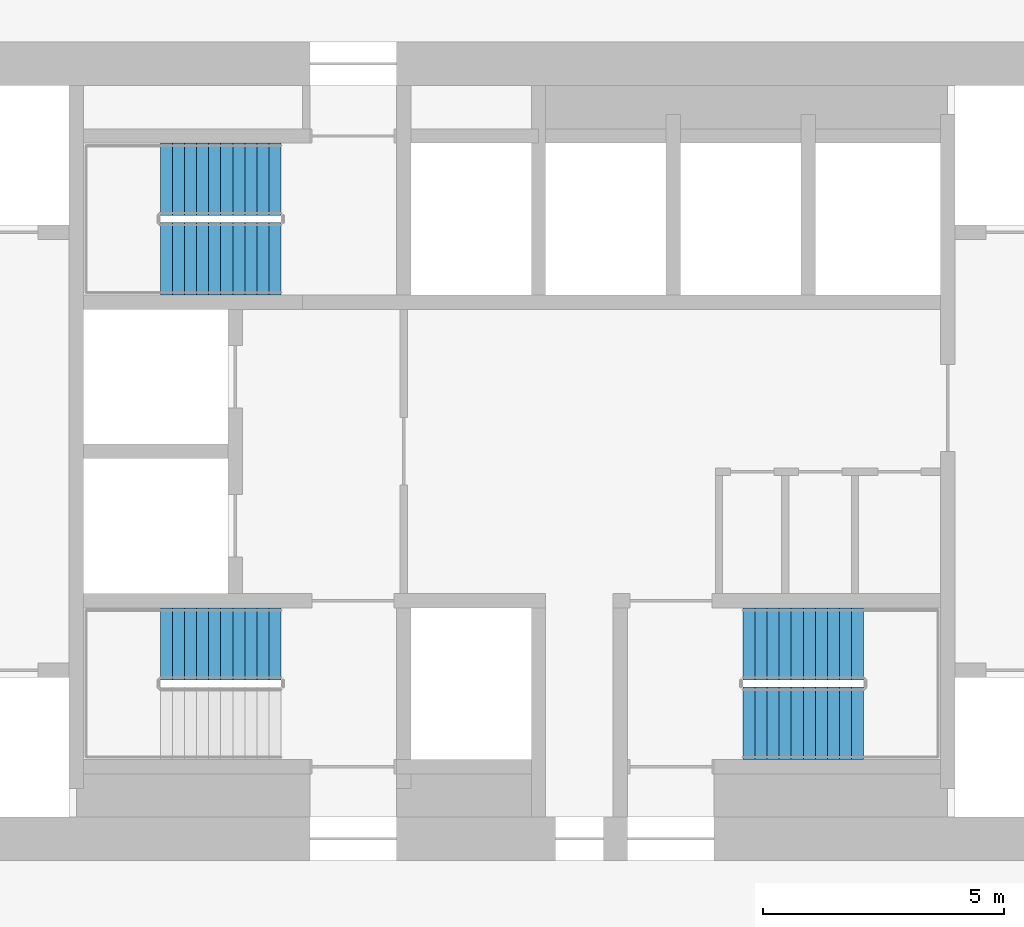
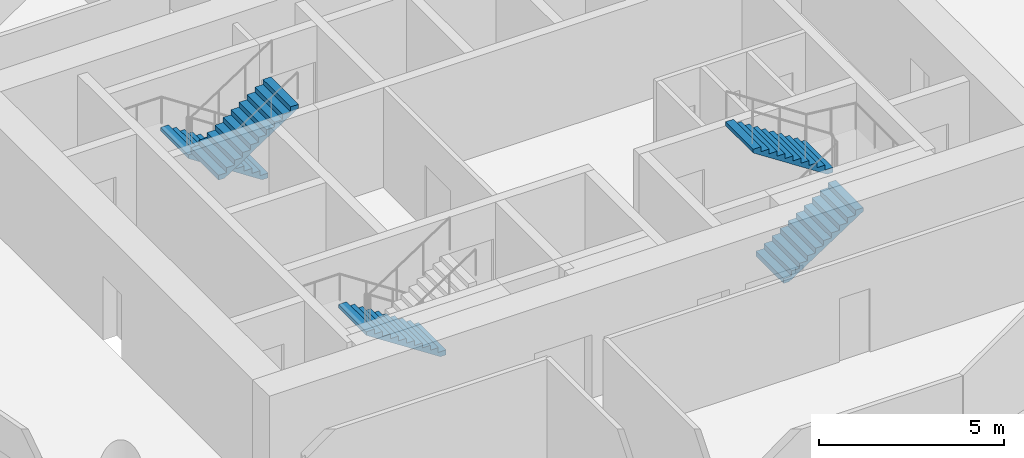
# One storey, part 8 of 9: 5 stair flights, 3 elements without a shape of their own.
"""IFC4 building model written with IfcOpenShell, lengths in metres."""

from ifc_helpers import new_model, si_unit, direction, frame, origin, place, context, subcontext, project, spatial, polyline, outline, extrude, material, type_object, element, aggregate, save


model = new_model("IFC4")

# Units and contexts
model_context = context("Model", 3, precision=1e-05, world=origin(), true_north=direction((0.0, 1.0)))
body_context = subcontext(model_context, "Body", "Model", "MODEL_VIEW")
ifc_project = project(units=[si_unit("LENGTHUNIT", "METRE"), si_unit("AREAUNIT", "SQUARE_METRE"), si_unit("VOLUMEUNIT", "CUBIC_METRE"), si_unit("PLANEANGLEUNIT", "RADIAN"), si_unit("MASSUNIT", "GRAM", prefix="KILO")], contexts=[model_context])

# Site, building, storey
site_placement = place(None, origin())
site = spatial("IfcSite", under=ifc_project, at=site_placement, CompositionType="ELEMENT")
building_placement = place(site_placement, origin())
building = spatial("IfcBuilding", under=site, at=building_placement, Name="Tracery Tower", CompositionType="ELEMENT")
storey_placement = place(building_placement, frame((0.0, 0.0, 201.60009765625)))
storey = spatial("IfcBuildingStorey", under=building, at=storey_placement, Name="L52", CompositionType="ELEMENT", Elevation=201.60009765625)

# Stair, stair flight
ifc_material_1 = material(Name="Concrete C32/40", Category="concrete")
stair_type = type_object("IfcStairType", Name="Core stair 22 risers", PredefinedType="HALF_TURN_STAIR", material=ifc_material_1)
stair_1_placement = place(storey_placement, origin())
stair_1 = element("IfcStair", 1, at=stair_1_placement, inside=storey, type_object=stair_type, Name="L52 stair ST1", PredefinedType="HALF_TURN_STAIR")
ifc_material_2 = material(Name="Concrete C32/40", Category="concrete")
stair_flight_type = type_object("IfcStairFlightType", Name="Core stair flight 11 risers", PredefinedType="STRAIGHT", material=ifc_material_2)
stair_flight_1_placement = place(storey_placement, frame((-4.800048828125, -4.0, 0.0), z_axis=(0.0, 0.0, 1.0), x_axis=(-1.0, 0.0, 0.0)))
stair_flight_1 = element("IfcStairFlight", 2, at=stair_flight_1_placement, type_object=stair_flight_type, Name="ST1 flight 1", NumberOfRisers=11, NumberOfTreads=10, PredefinedType="STRAIGHT", RiserHeight=0.163636364, TreadLength=0.25, context=body_context, shape_type="SweptSolid", body=[
    extrude(outline(polyline([(0.0, 0.0), (0.0, 0.002685546875), (0.0, 0.00537109375), (0.0, 0.008056640625), (0.0, 0.0107421875), (0.0, 0.013427734375), (0.0, 0.01611328125), (0.0, 0.018798828125), (0.0, 0.021484375), (0.0, 0.024169921875), (0.0, 0.02685546875), (0.0, 0.029541015625), (0.0, 0.0322265625), (0.0, 0.034912109375), (0.0, 0.03759765625), (0.0, 0.040283203125), (0.0, 0.04296875), (0.0, 0.045654296875), (0.0, 0.04833984375), (0.0, 0.051025390625), (0.0, 0.0537109375), (0.0, 0.056396484375), (0.0, 0.05908203125), (0.0, 0.061767578125), (0.0, 0.064453125), (0.0, 0.067138671875), (0.0, 0.06982421875), (0.0, 0.072509765625), (0.0, 0.0751953125), (0.0, 0.077880859375), (0.0, 0.08056640625), (0.0, 0.083251953125), (0.0, 0.0859375), (0.0, 0.088623046875), (0.0, 0.09130859375), (0.0, 0.093994140625), (0.0, 0.0966796875), (0.0, 0.099365234375), (0.0, 0.10205078125), (0.0, 0.104736328125), (0.0, 0.107421875), (0.0, 0.10986328125), (0.0, 0.112548828125), (0.0, 0.115234375), (0.0, 0.117919921875), (0.0, 0.12060546875), (0.0, 0.123291015625), (0.0, 0.1259765625), (0.0, 0.128662109375), (0.0, 0.13134765625), (0.0, 0.134033203125), (0.0, 0.13671875), (0.0, 0.139404296875), (0.0, 0.14208984375), (0.0, 0.144775390625), (0.0, 0.1474609375), (0.0, 0.150146484375), (0.0, 0.15283203125), (0.0, 0.155517578125), (0.0, 0.158203125), (0.0, 0.160888671875), (0.0, 0.16357421875), (0.25, 0.16357421875), (0.25, 0.327392578125), (0.5, 0.327392578125), (0.5, 0.490966796875), (0.75, 0.490966796875), (0.75, 0.654541015625), (1.0, 0.654541015625), (1.0, 0.818115234375), (1.25, 0.818115234375), (1.25, 0.98193359375), (1.5, 0.98193359375), (1.5, 1.1455078125), (1.75, 1.1455078125), (1.75, 1.30908203125), (2.0, 1.30908203125), (2.0, 1.47265625), (2.25, 1.47265625), (2.25, 1.636474609375), (2.5, 1.636474609375), (2.5, 1.634521484375), (2.5, 1.63232421875), (2.5, 1.63037109375), (2.5, 1.62841796875), (2.5, 1.62646484375), (2.5, 1.62451171875), (2.5, 1.62255859375), (2.5, 1.62060546875), (2.5, 1.61865234375), (2.5, 1.61669921875), (2.5, 1.61474609375), (2.5, 1.61279296875), (2.5, 1.61083984375), (2.5, 1.60888671875), (2.5, 1.60693359375), (2.5, 1.60498046875), (2.5, 1.60302734375), (2.5, 1.60107421875), (2.5, 1.59912109375), (2.5, 1.59716796875), (2.5, 1.59521484375), (2.5, 1.59326171875), (2.5, 1.59130859375), (2.5, 1.58935546875), (2.5, 1.58740234375), (2.5, 1.58544921875), (2.5, 1.58349609375), (2.5, 1.58154296875), (2.5, 1.57958984375), (2.5, 1.57763671875), (2.5, 1.57568359375), (2.5, 1.573486328125), (2.5, 1.571533203125), (2.5, 1.569580078125), (2.5, 1.567626953125), (2.5, 1.565673828125), (2.5, 1.563720703125), (2.5, 1.561767578125), (2.5, 1.559814453125), (2.5, 1.557861328125), (2.5, 1.555908203125), (2.5, 1.553955078125), (2.5, 1.552001953125), (2.5, 1.550048828125), (2.5, 1.548095703125), (2.5, 1.546142578125), (2.5, 1.544189453125), (2.5, 1.542236328125), (2.5, 1.540283203125), (2.5, 1.538330078125), (2.5, 1.536376953125), (2.5, 1.534423828125), (2.5, 1.532470703125), (2.5, 1.530517578125), (2.5, 1.528564453125), (2.5, 1.526611328125), (2.5, 1.524658203125), (2.5, 1.522705078125), (2.5, 1.520751953125), (2.5, 1.518798828125), (2.5, 1.516845703125), (0.182861328125, 0.0), (0.0, 0.0)])), frame((0.0, 0.75, 0.0), z_axis=(0.0, -1.0, 0.0), x_axis=(1.0, 0.0, 0.0)), (0.0, 0.0, 1.0), 1.5),
])
aggregate(stair_1, [stair_flight_1])

# Stair, stair flights
stair_2_placement = place(storey_placement, origin())
stair_2 = element("IfcStair", 3, at=stair_2_placement, inside=storey, type_object=stair_type, Name="L52 stair ST3", PredefinedType="HALF_TURN_STAIR")
stair_flight_2_placement = place(storey_placement, frame((-4.800048828125, 5.64990234375, 0.0), z_axis=(0.0, 0.0, 1.0), x_axis=(-1.0, 0.0, 0.0)))
stair_flight_2 = element("IfcStairFlight", 4, at=stair_flight_2_placement, type_object=stair_flight_type, Name="ST3 flight 1", NumberOfRisers=11, NumberOfTreads=10, PredefinedType="STRAIGHT", RiserHeight=0.163636364, TreadLength=0.25, context=body_context, shape_type="SweptSolid", body=[
    extrude(outline(polyline([(0.0, 0.0), (0.0, 0.002685546875), (0.0, 0.00537109375), (0.0, 0.008056640625), (0.0, 0.0107421875), (0.0, 0.013427734375), (0.0, 0.01611328125), (0.0, 0.018798828125), (0.0, 0.021484375), (0.0, 0.024169921875), (0.0, 0.02685546875), (0.0, 0.029541015625), (0.0, 0.0322265625), (0.0, 0.034912109375), (0.0, 0.03759765625), (0.0, 0.040283203125), (0.0, 0.04296875), (0.0, 0.045654296875), (0.0, 0.04833984375), (0.0, 0.051025390625), (0.0, 0.0537109375), (0.0, 0.056396484375), (0.0, 0.05908203125), (0.0, 0.061767578125), (0.0, 0.064453125), (0.0, 0.067138671875), (0.0, 0.06982421875), (0.0, 0.072509765625), (0.0, 0.0751953125), (0.0, 0.077880859375), (0.0, 0.08056640625), (0.0, 0.083251953125), (0.0, 0.0859375), (0.0, 0.088623046875), (0.0, 0.09130859375), (0.0, 0.093994140625), (0.0, 0.0966796875), (0.0, 0.099365234375), (0.0, 0.10205078125), (0.0, 0.104736328125), (0.0, 0.107421875), (0.0, 0.10986328125), (0.0, 0.112548828125), (0.0, 0.115234375), (0.0, 0.117919921875), (0.0, 0.12060546875), (0.0, 0.123291015625), (0.0, 0.1259765625), (0.0, 0.128662109375), (0.0, 0.13134765625), (0.0, 0.134033203125), (0.0, 0.13671875), (0.0, 0.139404296875), (0.0, 0.14208984375), (0.0, 0.144775390625), (0.0, 0.1474609375), (0.0, 0.150146484375), (0.0, 0.15283203125), (0.0, 0.155517578125), (0.0, 0.158203125), (0.0, 0.160888671875), (0.0, 0.16357421875), (0.25, 0.16357421875), (0.25, 0.327392578125), (0.5, 0.327392578125), (0.5, 0.490966796875), (0.75, 0.490966796875), (0.75, 0.654541015625), (1.0, 0.654541015625), (1.0, 0.818115234375), (1.25, 0.818115234375), (1.25, 0.98193359375), (1.5, 0.98193359375), (1.5, 1.1455078125), (1.75, 1.1455078125), (1.75, 1.30908203125), (2.0, 1.30908203125), (2.0, 1.47265625), (2.25, 1.47265625), (2.25, 1.636474609375), (2.5, 1.636474609375), (2.5, 1.634521484375), (2.5, 1.63232421875), (2.5, 1.63037109375), (2.5, 1.62841796875), (2.5, 1.62646484375), (2.5, 1.62451171875), (2.5, 1.62255859375), (2.5, 1.62060546875), (2.5, 1.61865234375), (2.5, 1.61669921875), (2.5, 1.61474609375), (2.5, 1.61279296875), (2.5, 1.61083984375), (2.5, 1.60888671875), (2.5, 1.60693359375), (2.5, 1.60498046875), (2.5, 1.60302734375), (2.5, 1.60107421875), (2.5, 1.59912109375), (2.5, 1.59716796875), (2.5, 1.59521484375), (2.5, 1.59326171875), (2.5, 1.59130859375), (2.5, 1.58935546875), (2.5, 1.58740234375), (2.5, 1.58544921875), (2.5, 1.58349609375), (2.5, 1.58154296875), (2.5, 1.57958984375), (2.5, 1.57763671875), (2.5, 1.57568359375), (2.5, 1.573486328125), (2.5, 1.571533203125), (2.5, 1.569580078125), (2.5, 1.567626953125), (2.5, 1.565673828125), (2.5, 1.563720703125), (2.5, 1.561767578125), (2.5, 1.559814453125), (2.5, 1.557861328125), (2.5, 1.555908203125), (2.5, 1.553955078125), (2.5, 1.552001953125), (2.5, 1.550048828125), (2.5, 1.548095703125), (2.5, 1.546142578125), (2.5, 1.544189453125), (2.5, 1.542236328125), (2.5, 1.540283203125), (2.5, 1.538330078125), (2.5, 1.536376953125), (2.5, 1.534423828125), (2.5, 1.532470703125), (2.5, 1.530517578125), (2.5, 1.528564453125), (2.5, 1.526611328125), (2.5, 1.524658203125), (2.5, 1.522705078125), (2.5, 1.520751953125), (2.5, 1.518798828125), (2.5, 1.516845703125), (0.182861328125, 0.0), (0.0, 0.0)])), frame((0.0, 0.75, 0.0), z_axis=(0.0, -1.0, 0.0), x_axis=(1.0, 0.0, 0.0)), (0.0, 0.0, 1.0), 1.5),
])
stair_flight_3_placement = place(storey_placement, frame((-7.300048828125, 4.0, 1.7998046875), z_axis=(0.0, 0.0, 1.0), x_axis=(1.0, 0.0, 0.0)))
stair_flight_3 = element("IfcStairFlight", 5, at=stair_flight_3_placement, type_object=stair_flight_type, Name="ST3 flight 2", NumberOfRisers=11, NumberOfTreads=10, PredefinedType="STRAIGHT", RiserHeight=0.163636364, TreadLength=0.25, context=body_context, shape_type="SweptSolid", body=[
    extrude(outline(polyline([(0.0, 0.0), (0.0, 0.002685546875), (0.0, 0.00537109375), (0.0, 0.008056640625), (0.0, 0.0107421875), (0.0, 0.013427734375), (0.0, 0.01611328125), (0.0, 0.018798828125), (0.0, 0.021484375), (0.0, 0.024169921875), (0.0, 0.02685546875), (0.0, 0.029541015625), (0.0, 0.0322265625), (0.0, 0.034912109375), (0.0, 0.03759765625), (0.0, 0.040283203125), (0.0, 0.04296875), (0.0, 0.045654296875), (0.0, 0.04833984375), (0.0, 0.051025390625), (0.0, 0.0537109375), (0.0, 0.056396484375), (0.0, 0.05908203125), (0.0, 0.061767578125), (0.0, 0.064453125), (0.0, 0.067138671875), (0.0, 0.06982421875), (0.0, 0.072509765625), (0.0, 0.0751953125), (0.0, 0.077880859375), (0.0, 0.08056640625), (0.0, 0.083251953125), (0.0, 0.0859375), (0.0, 0.088623046875), (0.0, 0.09130859375), (0.0, 0.093994140625), (0.0, 0.0966796875), (0.0, 0.099365234375), (0.0, 0.10205078125), (0.0, 0.104736328125), (0.0, 0.107421875), (0.0, 0.10986328125), (0.0, 0.112548828125), (0.0, 0.115234375), (0.0, 0.117919921875), (0.0, 0.12060546875), (0.0, 0.123291015625), (0.0, 0.1259765625), (0.0, 0.128662109375), (0.0, 0.13134765625), (0.0, 0.134033203125), (0.0, 0.13671875), (0.0, 0.139404296875), (0.0, 0.14208984375), (0.0, 0.144775390625), (0.0, 0.1474609375), (0.0, 0.150146484375), (0.0, 0.15283203125), (0.0, 0.155517578125), (0.0, 0.158203125), (0.0, 0.160888671875), (0.0, 0.16357421875), (0.25, 0.16357421875), (0.25, 0.327392578125), (0.5, 0.327392578125), (0.5, 0.490966796875), (0.75, 0.490966796875), (0.75, 0.654541015625), (1.0, 0.654541015625), (1.0, 0.818115234375), (1.25, 0.818115234375), (1.25, 0.98193359375), (1.5, 0.98193359375), (1.5, 1.1455078125), (1.75, 1.1455078125), (1.75, 1.30908203125), (2.0, 1.30908203125), (2.0, 1.47265625), (2.25, 1.47265625), (2.25, 1.636474609375), (2.5, 1.636474609375), (2.5, 1.634521484375), (2.5, 1.63232421875), (2.5, 1.63037109375), (2.5, 1.62841796875), (2.5, 1.62646484375), (2.5, 1.62451171875), (2.5, 1.62255859375), (2.5, 1.62060546875), (2.5, 1.61865234375), (2.5, 1.61669921875), (2.5, 1.61474609375), (2.5, 1.61279296875), (2.5, 1.61083984375), (2.5, 1.60888671875), (2.5, 1.60693359375), (2.5, 1.60498046875), (2.5, 1.60302734375), (2.5, 1.60107421875), (2.5, 1.59912109375), (2.5, 1.59716796875), (2.5, 1.59521484375), (2.5, 1.59326171875), (2.5, 1.59130859375), (2.5, 1.58935546875), (2.5, 1.58740234375), (2.5, 1.58544921875), (2.5, 1.58349609375), (2.5, 1.58154296875), (2.5, 1.57958984375), (2.5, 1.57763671875), (2.5, 1.57568359375), (2.5, 1.573486328125), (2.5, 1.571533203125), (2.5, 1.569580078125), (2.5, 1.567626953125), (2.5, 1.565673828125), (2.5, 1.563720703125), (2.5, 1.561767578125), (2.5, 1.559814453125), (2.5, 1.557861328125), (2.5, 1.555908203125), (2.5, 1.553955078125), (2.5, 1.552001953125), (2.5, 1.550048828125), (2.5, 1.548095703125), (2.5, 1.546142578125), (2.5, 1.544189453125), (2.5, 1.542236328125), (2.5, 1.540283203125), (2.5, 1.538330078125), (2.5, 1.536376953125), (2.5, 1.534423828125), (2.5, 1.532470703125), (2.5, 1.530517578125), (2.5, 1.528564453125), (2.5, 1.526611328125), (2.5, 1.524658203125), (2.5, 1.522705078125), (2.5, 1.520751953125), (2.5, 1.518798828125), (2.5, 1.516845703125), (0.182861328125, 0.0), (0.0, 0.0)])), frame((0.0, 0.75, 0.0), z_axis=(0.0, -1.0, 0.0), x_axis=(1.0, 0.0, 0.0)), (0.0, 0.0, 1.0), 1.5),
])
aggregate(stair_2, [stair_flight_2, stair_flight_3])

stair_3_placement = place(storey_placement, origin())
stair_3 = element("IfcStair", 6, at=stair_3_placement, inside=storey, type_object=stair_type, Name="L52 stair ST2", PredefinedType="HALF_TURN_STAIR")
stair_flight_4_placement = place(storey_placement, frame((4.800048828125, -5.64990234375, 0.0), z_axis=(0.0, 0.0, 1.0), x_axis=(1.0, 0.0, 0.0)))
stair_flight_4 = element("IfcStairFlight", 7, at=stair_flight_4_placement, type_object=stair_flight_type, Name="ST2 flight 1", NumberOfRisers=11, NumberOfTreads=10, PredefinedType="STRAIGHT", RiserHeight=0.163636364, TreadLength=0.25, context=body_context, shape_type="SweptSolid", body=[
    extrude(outline(polyline([(0.0, 0.0), (0.0, 0.002685546875), (0.0, 0.00537109375), (0.0, 0.008056640625), (0.0, 0.0107421875), (0.0, 0.013427734375), (0.0, 0.01611328125), (0.0, 0.018798828125), (0.0, 0.021484375), (0.0, 0.024169921875), (0.0, 0.02685546875), (0.0, 0.029541015625), (0.0, 0.0322265625), (0.0, 0.034912109375), (0.0, 0.03759765625), (0.0, 0.040283203125), (0.0, 0.04296875), (0.0, 0.045654296875), (0.0, 0.04833984375), (0.0, 0.051025390625), (0.0, 0.0537109375), (0.0, 0.056396484375), (0.0, 0.05908203125), (0.0, 0.061767578125), (0.0, 0.064453125), (0.0, 0.067138671875), (0.0, 0.06982421875), (0.0, 0.072509765625), (0.0, 0.0751953125), (0.0, 0.077880859375), (0.0, 0.08056640625), (0.0, 0.083251953125), (0.0, 0.0859375), (0.0, 0.088623046875), (0.0, 0.09130859375), (0.0, 0.093994140625), (0.0, 0.0966796875), (0.0, 0.099365234375), (0.0, 0.10205078125), (0.0, 0.104736328125), (0.0, 0.107421875), (0.0, 0.10986328125), (0.0, 0.112548828125), (0.0, 0.115234375), (0.0, 0.117919921875), (0.0, 0.12060546875), (0.0, 0.123291015625), (0.0, 0.1259765625), (0.0, 0.128662109375), (0.0, 0.13134765625), (0.0, 0.134033203125), (0.0, 0.13671875), (0.0, 0.139404296875), (0.0, 0.14208984375), (0.0, 0.144775390625), (0.0, 0.1474609375), (0.0, 0.150146484375), (0.0, 0.15283203125), (0.0, 0.155517578125), (0.0, 0.158203125), (0.0, 0.160888671875), (0.0, 0.16357421875), (0.25, 0.16357421875), (0.25, 0.327392578125), (0.5, 0.327392578125), (0.5, 0.490966796875), (0.75, 0.490966796875), (0.75, 0.654541015625), (1.0, 0.654541015625), (1.0, 0.818115234375), (1.25, 0.818115234375), (1.25, 0.98193359375), (1.5, 0.98193359375), (1.5, 1.1455078125), (1.75, 1.1455078125), (1.75, 1.30908203125), (2.0, 1.30908203125), (2.0, 1.47265625), (2.25, 1.47265625), (2.25, 1.636474609375), (2.5, 1.636474609375), (2.5, 1.634521484375), (2.5, 1.63232421875), (2.5, 1.63037109375), (2.5, 1.62841796875), (2.5, 1.62646484375), (2.5, 1.62451171875), (2.5, 1.62255859375), (2.5, 1.62060546875), (2.5, 1.61865234375), (2.5, 1.61669921875), (2.5, 1.61474609375), (2.5, 1.61279296875), (2.5, 1.61083984375), (2.5, 1.60888671875), (2.5, 1.60693359375), (2.5, 1.60498046875), (2.5, 1.60302734375), (2.5, 1.60107421875), (2.5, 1.59912109375), (2.5, 1.59716796875), (2.5, 1.59521484375), (2.5, 1.59326171875), (2.5, 1.59130859375), (2.5, 1.58935546875), (2.5, 1.58740234375), (2.5, 1.58544921875), (2.5, 1.58349609375), (2.5, 1.58154296875), (2.5, 1.57958984375), (2.5, 1.57763671875), (2.5, 1.57568359375), (2.5, 1.573486328125), (2.5, 1.571533203125), (2.5, 1.569580078125), (2.5, 1.567626953125), (2.5, 1.565673828125), (2.5, 1.563720703125), (2.5, 1.561767578125), (2.5, 1.559814453125), (2.5, 1.557861328125), (2.5, 1.555908203125), (2.5, 1.553955078125), (2.5, 1.552001953125), (2.5, 1.550048828125), (2.5, 1.548095703125), (2.5, 1.546142578125), (2.5, 1.544189453125), (2.5, 1.542236328125), (2.5, 1.540283203125), (2.5, 1.538330078125), (2.5, 1.536376953125), (2.5, 1.534423828125), (2.5, 1.532470703125), (2.5, 1.530517578125), (2.5, 1.528564453125), (2.5, 1.526611328125), (2.5, 1.524658203125), (2.5, 1.522705078125), (2.5, 1.520751953125), (2.5, 1.518798828125), (2.5, 1.516845703125), (0.182861328125, 0.0), (0.0, 0.0)])), frame((0.0, 0.75, 0.0), z_axis=(0.0, -1.0, 0.0), x_axis=(1.0, 0.0, 0.0)), (0.0, 0.0, 1.0), 1.5),
])
stair_flight_5_placement = place(storey_placement, frame((7.300048828125, -4.0, 1.7998046875), z_axis=(0.0, 0.0, 1.0), x_axis=(-1.0, 0.0, 0.0)))
stair_flight_5 = element("IfcStairFlight", 8, at=stair_flight_5_placement, type_object=stair_flight_type, Name="ST2 flight 2", NumberOfRisers=11, NumberOfTreads=10, PredefinedType="STRAIGHT", RiserHeight=0.163636364, TreadLength=0.25, context=body_context, shape_type="SweptSolid", body=[
    extrude(outline(polyline([(0.0, 0.0), (0.0, 0.002685546875), (0.0, 0.00537109375), (0.0, 0.008056640625), (0.0, 0.0107421875), (0.0, 0.013427734375), (0.0, 0.01611328125), (0.0, 0.018798828125), (0.0, 0.021484375), (0.0, 0.024169921875), (0.0, 0.02685546875), (0.0, 0.029541015625), (0.0, 0.0322265625), (0.0, 0.034912109375), (0.0, 0.03759765625), (0.0, 0.040283203125), (0.0, 0.04296875), (0.0, 0.045654296875), (0.0, 0.04833984375), (0.0, 0.051025390625), (0.0, 0.0537109375), (0.0, 0.056396484375), (0.0, 0.05908203125), (0.0, 0.061767578125), (0.0, 0.064453125), (0.0, 0.067138671875), (0.0, 0.06982421875), (0.0, 0.072509765625), (0.0, 0.0751953125), (0.0, 0.077880859375), (0.0, 0.08056640625), (0.0, 0.083251953125), (0.0, 0.0859375), (0.0, 0.088623046875), (0.0, 0.09130859375), (0.0, 0.093994140625), (0.0, 0.0966796875), (0.0, 0.099365234375), (0.0, 0.10205078125), (0.0, 0.104736328125), (0.0, 0.107421875), (0.0, 0.10986328125), (0.0, 0.112548828125), (0.0, 0.115234375), (0.0, 0.117919921875), (0.0, 0.12060546875), (0.0, 0.123291015625), (0.0, 0.1259765625), (0.0, 0.128662109375), (0.0, 0.13134765625), (0.0, 0.134033203125), (0.0, 0.13671875), (0.0, 0.139404296875), (0.0, 0.14208984375), (0.0, 0.144775390625), (0.0, 0.1474609375), (0.0, 0.150146484375), (0.0, 0.15283203125), (0.0, 0.155517578125), (0.0, 0.158203125), (0.0, 0.160888671875), (0.0, 0.16357421875), (0.25, 0.16357421875), (0.25, 0.327392578125), (0.5, 0.327392578125), (0.5, 0.490966796875), (0.75, 0.490966796875), (0.75, 0.654541015625), (1.0, 0.654541015625), (1.0, 0.818115234375), (1.25, 0.818115234375), (1.25, 0.98193359375), (1.5, 0.98193359375), (1.5, 1.1455078125), (1.75, 1.1455078125), (1.75, 1.30908203125), (2.0, 1.30908203125), (2.0, 1.47265625), (2.25, 1.47265625), (2.25, 1.636474609375), (2.5, 1.636474609375), (2.5, 1.634521484375), (2.5, 1.63232421875), (2.5, 1.63037109375), (2.5, 1.62841796875), (2.5, 1.62646484375), (2.5, 1.62451171875), (2.5, 1.62255859375), (2.5, 1.62060546875), (2.5, 1.61865234375), (2.5, 1.61669921875), (2.5, 1.61474609375), (2.5, 1.61279296875), (2.5, 1.61083984375), (2.5, 1.60888671875), (2.5, 1.60693359375), (2.5, 1.60498046875), (2.5, 1.60302734375), (2.5, 1.60107421875), (2.5, 1.59912109375), (2.5, 1.59716796875), (2.5, 1.59521484375), (2.5, 1.59326171875), (2.5, 1.59130859375), (2.5, 1.58935546875), (2.5, 1.58740234375), (2.5, 1.58544921875), (2.5, 1.58349609375), (2.5, 1.58154296875), (2.5, 1.57958984375), (2.5, 1.57763671875), (2.5, 1.57568359375), (2.5, 1.573486328125), (2.5, 1.571533203125), (2.5, 1.569580078125), (2.5, 1.567626953125), (2.5, 1.565673828125), (2.5, 1.563720703125), (2.5, 1.561767578125), (2.5, 1.559814453125), (2.5, 1.557861328125), (2.5, 1.555908203125), (2.5, 1.553955078125), (2.5, 1.552001953125), (2.5, 1.550048828125), (2.5, 1.548095703125), (2.5, 1.546142578125), (2.5, 1.544189453125), (2.5, 1.542236328125), (2.5, 1.540283203125), (2.5, 1.538330078125), (2.5, 1.536376953125), (2.5, 1.534423828125), (2.5, 1.532470703125), (2.5, 1.530517578125), (2.5, 1.528564453125), (2.5, 1.526611328125), (2.5, 1.524658203125), (2.5, 1.522705078125), (2.5, 1.520751953125), (2.5, 1.518798828125), (2.5, 1.516845703125), (0.182861328125, 0.0), (0.0, 0.0)])), frame((0.0, 0.75, 0.0), z_axis=(0.0, -1.0, 0.0), x_axis=(1.0, 0.0, 0.0)), (0.0, 0.0, 1.0), 1.5),
])
aggregate(stair_3, [stair_flight_4, stair_flight_5])

save(model, "model.ifc")
